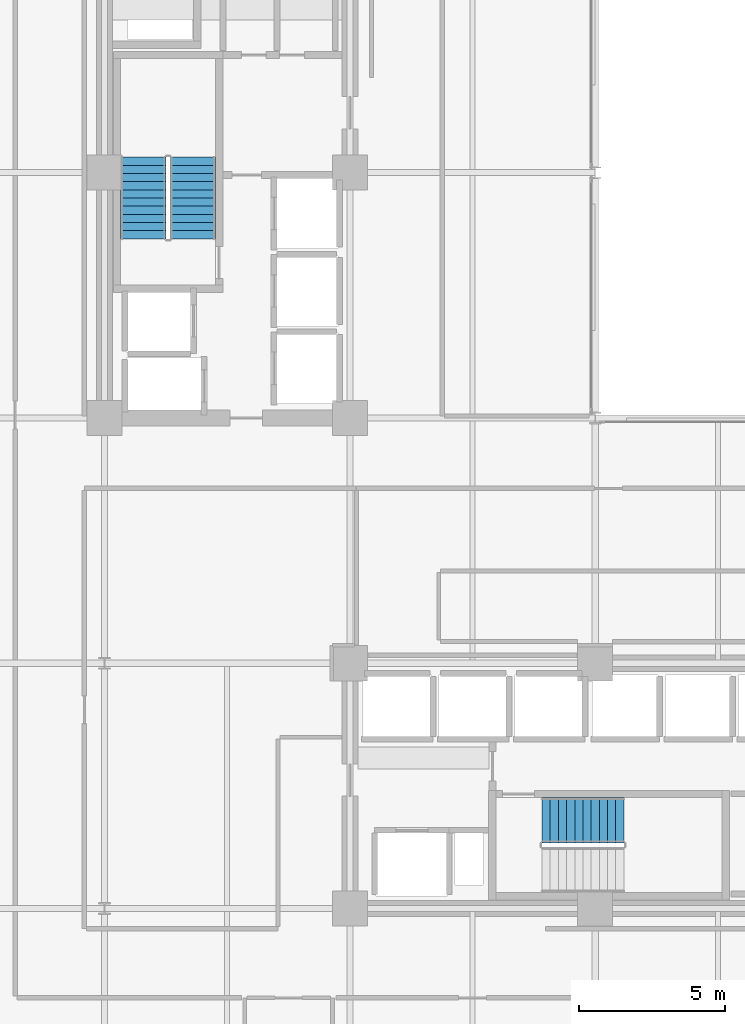
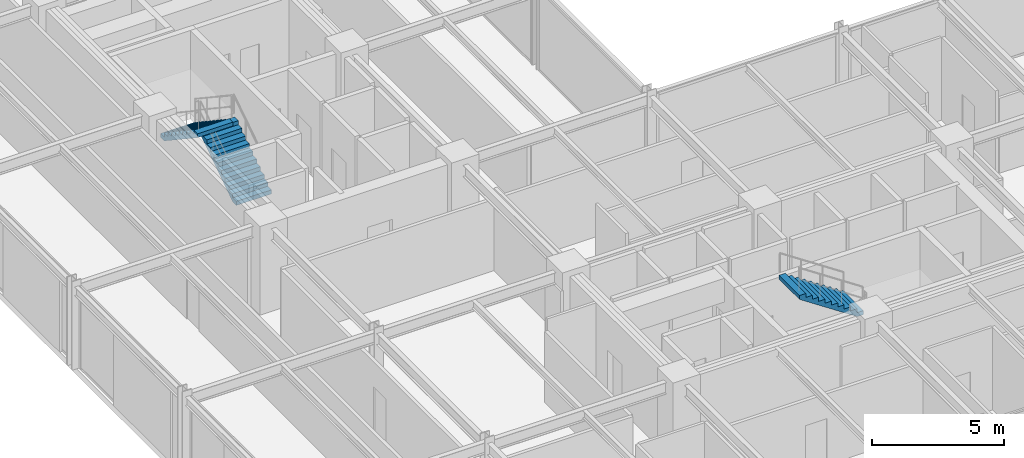
# One storey, part 35 of 38: 3 stair flights, 2 elements without a shape of their own.
"""IFC4 building model written with IfcOpenShell, lengths in metres."""

from ifc_helpers import new_model, si_unit, direction, frame, origin, place, context, subcontext, project, spatial, polyline, outline, extrude, material, type_object, element, aggregate, save


model = new_model("IFC4")

# Units and contexts
model_context = context("Model", 3, precision=1e-05, world=origin(), true_north=direction((0.0, 1.0)))
body_context = subcontext(model_context, "Body", "Model", "MODEL_VIEW")
ifc_project = project(units=[si_unit("LENGTHUNIT", "METRE"), si_unit("AREAUNIT", "SQUARE_METRE"), si_unit("VOLUMEUNIT", "CUBIC_METRE"), si_unit("PLANEANGLEUNIT", "RADIAN"), si_unit("MASSUNIT", "GRAM", prefix="KILO")], contexts=[model_context])

# Site, building, storey
site_placement = place(None, origin())
site = spatial("IfcSite", under=ifc_project, at=site_placement, CompositionType="ELEMENT")
building_placement = place(site_placement, origin())
building = spatial("IfcBuilding", under=site, at=building_placement, Name="Nerrivon Quay Data Exchange", CompositionType="ELEMENT")
storey_placement = place(building_placement, frame((0.0, 0.0, 88.5)))
storey = spatial("IfcBuildingStorey", under=building, at=storey_placement, Name="L20", CompositionType="ELEMENT", Elevation=88.5)

# Stair, stair flights
ifc_material = material(Name="Concrete N50 (50 MPa)", Category="concrete")
stair_type = type_object("IfcStairType", Name="STAIR-DOG-41", PredefinedType="HALF_TURN_STAIR", material=ifc_material)
stair_1_placement = place(storey_placement, origin())
stair_1 = element("IfcStair", 1, at=stair_1_placement, inside=storey, type_object=stair_type, Name="L20 West Core Fire Stair ST01", PredefinedType="HALF_TURN_STAIR")
stair_flight_type = type_object("IfcStairFlightType", Name="FLIGHT-DOG-41", PredefinedType="STRAIGHT", material=ifc_material)
stair_flight_1_placement = place(storey_placement, frame((11.425048828125, 31.330078125, 0.0), z_axis=(0.0, 0.0, 1.0), x_axis=(0.0, 1.0, 0.0)))
stair_flight_1 = element("IfcStairFlight", 2, at=stair_flight_1_placement, type_object=stair_flight_type, Name="ST01 flight 1", NumberOfRisers=11, NumberOfTreads=10, PredefinedType="STRAIGHT", RiserHeight=0.186363636, TreadLength=0.28, context=body_context, shape_type="SweptSolid", body=[
    extrude(outline(polyline([(0.0, 0.0), (0.0, 0.186279296875), (0.280029296875, 0.186279296875), (0.280029296875, 0.372802734375), (0.56005859375, 0.372802734375), (0.56005859375, 0.55908203125), (0.840087890625, 0.55908203125), (0.840087890625, 0.745361328125), (1.1201171875, 0.745361328125), (1.1201171875, 0.931884765625), (1.39990234375, 0.931884765625), (1.39990234375, 1.1181640625), (1.679931640625, 1.1181640625), (1.679931640625, 1.304443359375), (1.9599609375, 1.304443359375), (1.9599609375, 1.490966796875), (2.239990234375, 1.490966796875), (2.239990234375, 1.67724609375), (2.52001953125, 1.67724609375), (2.52001953125, 1.863525390625), (2.800048828125, 1.863525390625), (2.800048828125, 2.050048828125), (2.800048828125, 1.68359375), (0.2705078125, 0.0), (0.0, 0.0)])), frame((0.0, 0.77490234375, 0.0), z_axis=(0.0, -1.0, 0.0), x_axis=(1.0, 0.0, 0.0)), (0.0, 0.0, 1.0), 1.550048828125),
])
stair_flight_2_placement = place(storey_placement, frame((9.72509765625, 34.1298828125, 2.050048828125), z_axis=(0.0, 0.0, 1.0), x_axis=(0.0, -1.0, 0.0)))
stair_flight_2 = element("IfcStairFlight", 3, at=stair_flight_2_placement, type_object=stair_flight_type, Name="ST01 flight 2", NumberOfRisers=11, NumberOfTreads=10, PredefinedType="STRAIGHT", RiserHeight=0.186363636, TreadLength=0.28, context=body_context, shape_type="SweptSolid", body=[
    extrude(outline(polyline([(0.0, 0.0), (0.0, 0.186279296875), (0.280029296875, 0.186279296875), (0.280029296875, 0.372802734375), (0.56005859375, 0.372802734375), (0.56005859375, 0.55908203125), (0.840087890625, 0.55908203125), (0.840087890625, 0.745361328125), (1.1201171875, 0.745361328125), (1.1201171875, 0.931884765625), (1.39990234375, 0.931884765625), (1.39990234375, 1.1181640625), (1.679931640625, 1.1181640625), (1.679931640625, 1.304443359375), (1.9599609375, 1.304443359375), (1.9599609375, 1.490966796875), (2.239990234375, 1.490966796875), (2.239990234375, 1.67724609375), (2.52001953125, 1.67724609375), (2.52001953125, 1.863525390625), (2.800048828125, 1.863525390625), (2.800048828125, 2.050048828125), (2.800048828125, 1.68359375), (0.2705078125, 0.0), (0.0, 0.0)])), frame((0.0, 0.77490234375, 0.0), z_axis=(0.0, -1.0, 0.0), x_axis=(1.0, 0.0, 0.0)), (0.0, 0.0, 1.0), 1.550048828125),
])
aggregate(stair_1, [stair_flight_1, stair_flight_2])

# Stair, stair flight
stair_2_placement = place(storey_placement, origin())
stair_2 = element("IfcStair", 4, at=stair_2_placement, inside=storey, type_object=stair_type, Name="L20 East Core Fire Stair ST02", PredefinedType="HALF_TURN_STAIR")
stair_flight_3_placement = place(storey_placement, frame((26.179931640625, 11.425048828125, 2.050048828125), z_axis=(0.0, 0.0, 1.0), x_axis=(-1.0, 0.0, 0.0)))
stair_flight_3 = element("IfcStairFlight", 5, at=stair_flight_3_placement, type_object=stair_flight_type, Name="ST02 flight 2", NumberOfRisers=11, NumberOfTreads=10, PredefinedType="STRAIGHT", RiserHeight=0.186363636, TreadLength=0.28, context=body_context, shape_type="SweptSolid", body=[
    extrude(outline(polyline([(0.0, 0.0), (0.0, 0.186279296875), (0.280029296875, 0.186279296875), (0.280029296875, 0.372802734375), (0.56005859375, 0.372802734375), (0.56005859375, 0.55908203125), (0.840087890625, 0.55908203125), (0.840087890625, 0.745361328125), (1.1201171875, 0.745361328125), (1.1201171875, 0.931884765625), (1.39990234375, 0.931884765625), (1.39990234375, 1.1181640625), (1.679931640625, 1.1181640625), (1.679931640625, 1.304443359375), (1.9599609375, 1.304443359375), (1.9599609375, 1.490966796875), (2.239990234375, 1.490966796875), (2.239990234375, 1.67724609375), (2.52001953125, 1.67724609375), (2.52001953125, 1.863525390625), (2.800048828125, 1.863525390625), (2.800048828125, 2.050048828125), (2.800048828125, 1.68359375), (0.2705078125, 0.0), (0.0, 0.0)])), frame((0.0, 0.77490234375, 0.0), z_axis=(0.0, -1.0, 0.0), x_axis=(1.0, 0.0, 0.0)), (0.0, 0.0, 1.0), 1.550048828125),
])
aggregate(stair_2, [stair_flight_3])

save(model, "model.ifc")
